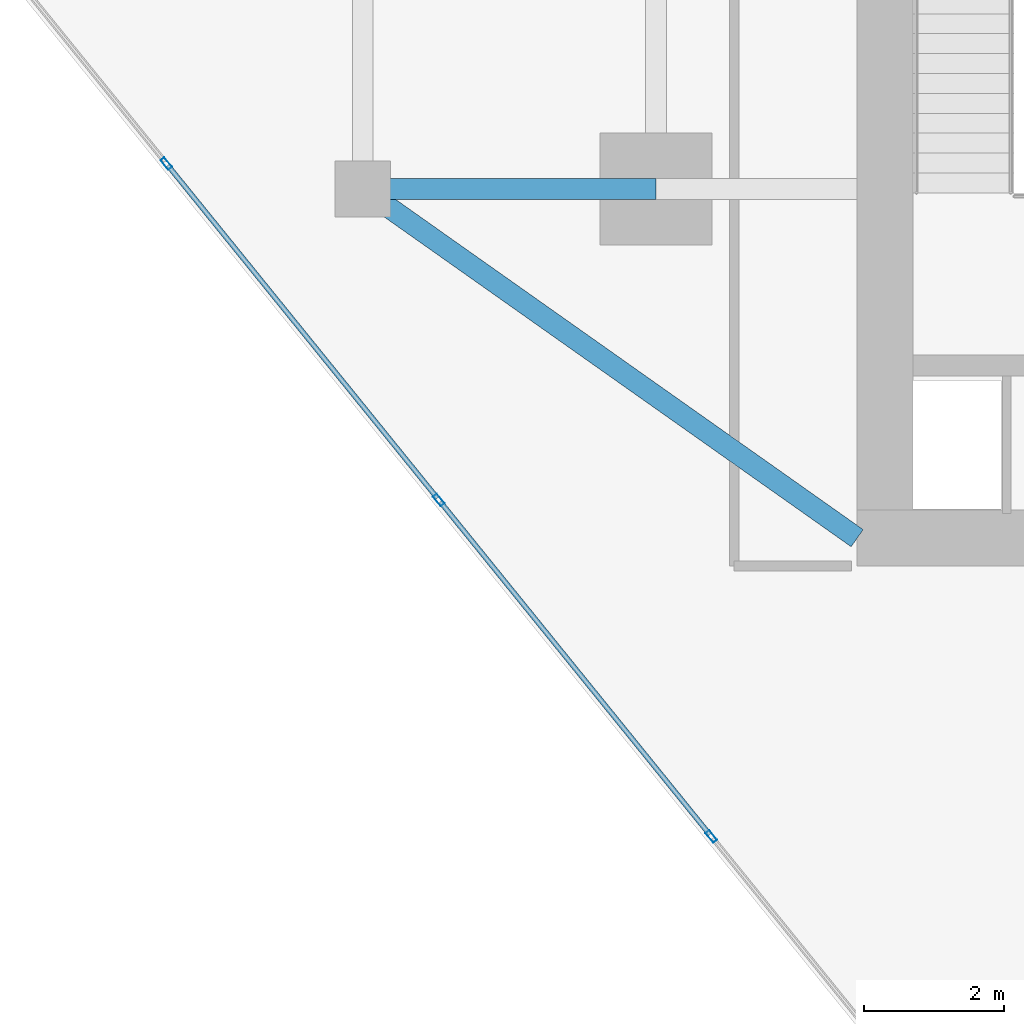
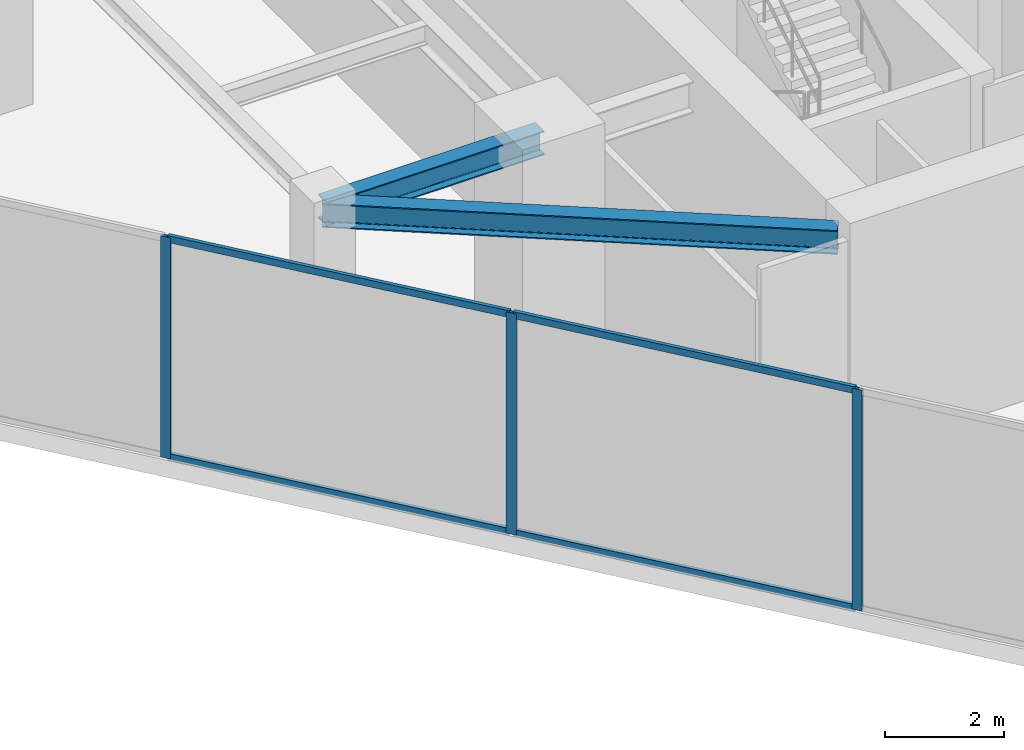
# One storey, part 2 of 22: 7 members, 2 beams, 1 element without a shape of its own.
"""IFC4 building model written with IfcOpenShell, lengths in metres."""

from ifc_helpers import new_model, si_unit, direction, frame, origin, origin_2d, place, context, subcontext, project, spatial, hollow_rectangle, i_section, extrude, source, transform, mapped, material, material_profile, profile_set, type_object, type_shapes, element, aggregate, save


model = new_model("IFC4")

# Units and contexts
model_context = context("Model", 3, precision=1e-05, world=origin(), true_north=direction((0.0, 1.0)))
body_context = subcontext(model_context, "Body", "Model", "MODEL_VIEW")
ifc_project = project(units=[si_unit("LENGTHUNIT", "METRE"), si_unit("AREAUNIT", "SQUARE_METRE"), si_unit("VOLUMEUNIT", "CUBIC_METRE"), si_unit("PLANEANGLEUNIT", "RADIAN"), si_unit("MASSUNIT", "GRAM", prefix="KILO")], contexts=[model_context])

# Site, building, storey
site_placement = place(None, origin())
site = spatial("IfcSite", under=ifc_project, at=site_placement, CompositionType="ELEMENT")
building_placement = place(site_placement, origin())
building = spatial("IfcBuilding", under=site, at=building_placement, Name="Krantzveldt Concourse Tower", CompositionType="ELEMENT")
storey_placement = place(building_placement, frame((0.0, 0.0, 262.60009765625)))
storey = spatial("IfcBuildingStorey", under=building, at=storey_placement, Name="L64", CompositionType="ELEMENT", Elevation=262.60009765625)

# Beams
ifc_material_1 = material(Name="Steel S355JR", Category="steel")
ifc_material_profile_1 = material_profile(ifc_material_1, i_section(OverallWidth=0.300048828125, OverallDepth=0.489990234375, WebThickness=0.011962890625, FlangeThickness=0.02294921875, FilletRadius=0.027099609375, at=origin_2d()), Name="Steel S355JR", Category="steel")
ifc_profile_set_1 = profile_set([ifc_material_profile_1], Name="Steel S355JR - HEA 500")
beam_type = type_object("IfcBeamType", Name="BM-B-HEA500", PredefinedType="BEAM", material=ifc_profile_set_1)
shared_shape_1 = source(origin(), body_context, "Body", "SweptSolid", [
    extrude(i_section(OverallWidth=0.300048828125, OverallDepth=0.489990234375, WebThickness=0.011962890625, FlangeThickness=0.02294921875, FilletRadius=0.027099609375, at=origin_2d()), origin(), (0.0, 0.0, 1.0), 4.199951171875),
])
beam_1_placement = place(storey_placement, frame((21.0, 15.89990234375, 4.27490234375), z_axis=(1.0, 0.0, 0.0), x_axis=(0.0, 1.0, 0.0)))
element("IfcBeam", 1, at=beam_1_placement, inside=storey, type_object=beam_type, Name="L64 Tower Girder BR-RL1", PredefinedType="BEAM", context=body_context, shape_type="MappedRepresentation", body=[
    mapped(shared_shape_1, transform((0.0, 0.0, 0.0), x_axis=(1.0, 0.0, 0.0), y_axis=(0.0, 1.0, 0.0), z_axis=(0.0, 0.0, 1.0), scale=1.0)),
])
shared_shape_2 = source(origin(), body_context, "Body", "SweptSolid", [
    extrude(i_section(OverallWidth=0.300048828125, OverallDepth=0.489990234375, WebThickness=0.011962890625, FlangeThickness=0.02294921875, FilletRadius=0.027099609375, at=origin_2d()), origin(), (0.0, 0.0, 1.0), 8.667724609375),
])
type_shapes(beam_type, [shared_shape_1, shared_shape_2])
beam_2_placement = place(storey_placement, frame((21.0, 15.89990234375, 4.27490234375), z_axis=(0.81684294656, -0.576860122261, 0.0), x_axis=(0.576860122261, 0.81684294656, 0.0)))
element("IfcBeam", 2, at=beam_2_placement, inside=storey, type_object=beam_type, Name="L64 Tower Girder BR-CSW", PredefinedType="BEAM", context=body_context, shape_type="MappedRepresentation", body=[
    mapped(shared_shape_2, transform((0.0, 0.0, 0.0), x_axis=(1.0, 0.0, 0.0), y_axis=(0.0, 1.0, 0.0), z_axis=(0.0, 0.0, 1.0), scale=1.0)),
])

# Curtain wall, members
ifc_material_2 = material(Name="Anodised aluminium 6063-T6", Category="aluminium")
curtain_wall_type = type_object("IfcCurtainWallType", Name="CW5", PredefinedType="USERDEFINED", material=ifc_material_2)
curtain_wall_placement = place(storey_placement, origin())
curtain_wall = element("IfcCurtainWall", 3, at=curtain_wall_placement, inside=storey, type_object=curtain_wall_type, Name="CW-L64-F04", ObjectType="UNITISED CURTAIN WALL", PredefinedType="USERDEFINED")
ifc_material_profile_2 = material_profile(ifc_material_2, hollow_rectangle(XDim=0.070068359375, YDim=0.179931640625, WallThickness=0.0048828125, at=origin_2d()), Name="Anodised aluminium 6063-T6", Category="aluminium")
ifc_profile_set_2 = profile_set([ifc_material_profile_2], Name="Anodised aluminium 6063-T6 - ALU-MULL 180x70x5")
member_type_1 = type_object("IfcMemberType", Name="CW-MUL-180", PredefinedType="MULLION", material=ifc_profile_set_2)
shared_shape_3 = source(origin(), body_context, "Body", "SweptSolid", [
    extrude(hollow_rectangle(XDim=0.070068359375, YDim=0.179931640625, WallThickness=0.0048828125, at=origin_2d()), origin(), (0.0, 0.0, 1.0), 4.52001953125),
])
type_shapes(member_type_1, [shared_shape_3])
member_1_placement = place(storey_placement, frame((18.1875, 16.2646484375, 0.0), z_axis=(0.0, 0.0, 1.0), x_axis=(0.777145933558, 0.629320425502, 0.0)))
member_1 = element("IfcMember", 4, at=member_1_placement, type_object=member_type_1, Name="CW-SKY mullion 3", PredefinedType="MULLION", context=body_context, shape_type="MappedRepresentation", body=[
    mapped(shared_shape_3, transform((0.0, 0.0, 0.0), x_axis=(1.0, 0.0, 0.0), y_axis=(0.0, 1.0, 0.0), z_axis=(0.0, 0.0, 1.0), scale=1.0)),
])
member_2_placement = place(storey_placement, frame((22.08935546875, 11.446533203125, 0.0), z_axis=(0.0, 0.0, 1.0), x_axis=(0.777145933558, 0.629320425502, 0.0)))
member_2 = element("IfcMember", 5, at=member_2_placement, type_object=member_type_1, Name="CW-SKY mullion 4", PredefinedType="MULLION", context=body_context, shape_type="MappedRepresentation", body=[
    mapped(shared_shape_3, transform((0.0, 0.0, 0.0), x_axis=(1.0, 0.0, 0.0), y_axis=(0.0, 1.0, 0.0), z_axis=(0.0, 0.0, 1.0), scale=1.0)),
])
member_3_placement = place(storey_placement, frame((25.9912109375, 6.628173828125, 0.0), z_axis=(0.0, 0.0, 1.0), x_axis=(0.777145933558, 0.629320425502, 0.0)))
member_3 = element("IfcMember", 6, at=member_3_placement, type_object=member_type_1, Name="CW-SKY mullion 5", PredefinedType="MULLION", context=body_context, shape_type="MappedRepresentation", body=[
    mapped(shared_shape_3, transform((0.0, 0.0, 0.0), x_axis=(1.0, 0.0, 0.0), y_axis=(0.0, 1.0, 0.0), z_axis=(0.0, 0.0, 1.0), scale=1.0)),
])
ifc_material_profile_3 = material_profile(ifc_material_2, hollow_rectangle(XDim=0.070068359375, YDim=0.139892578125, WallThickness=0.0048828125, at=origin_2d()), Name="Anodised aluminium 6063-T6", Category="aluminium")
ifc_profile_set_3 = profile_set([ifc_material_profile_3], Name="Anodised aluminium 6063-T6 - ALU-TRAN 140x70x5")
member_type_2 = type_object("IfcMemberType", Name="CW-TRN-150", PredefinedType="USERDEFINED", material=ifc_profile_set_3)
shared_shape_4 = source(origin(), body_context, "Body", "SweptSolid", [
    extrude(hollow_rectangle(XDim=0.070068359375, YDim=0.139892578125, WallThickness=0.0048828125, at=origin_2d()), origin(), (0.0, 0.0, 1.0), 6.130126953125),
])
member_4_placement = place(storey_placement, frame((18.20947265625, 16.237548828125, 0.034912109375), z_axis=(0.629336847282, -0.777132635174, 0.0), x_axis=(0.777132635174, 0.629336847282, 0.0)))
member_4 = element("IfcMember", 7, at=member_4_placement, type_object=member_type_2, Name="CW-SKY transom 3.1", ObjectType="TRANSOM", PredefinedType="USERDEFINED", context=body_context, shape_type="MappedRepresentation", body=[
    mapped(shared_shape_4, transform((0.0, 0.0, 0.0), x_axis=(1.0, 0.0, 0.0), y_axis=(0.0, 1.0, 0.0), z_axis=(0.0, 0.0, 1.0), scale=1.0)),
])
member_5_placement = place(storey_placement, frame((18.20947265625, 16.237548828125, 4.48486328125), z_axis=(0.629336847282, -0.777132635174, 0.0), x_axis=(0.777132635174, 0.629336847282, 0.0)))
member_5 = element("IfcMember", 8, at=member_5_placement, type_object=member_type_2, Name="CW-SKY transom 3.2", ObjectType="TRANSOM", PredefinedType="USERDEFINED", context=body_context, shape_type="MappedRepresentation", body=[
    mapped(shared_shape_4, transform((0.0, 0.0, 0.0), x_axis=(1.0, 0.0, 0.0), y_axis=(0.0, 1.0, 0.0), z_axis=(0.0, 0.0, 1.0), scale=1.0)),
])
shared_shape_5 = source(origin(), body_context, "Body", "SweptSolid", [
    extrude(hollow_rectangle(XDim=0.070068359375, YDim=0.139892578125, WallThickness=0.0048828125, at=origin_2d()), origin(), (0.0, 0.0, 1.0), 6.1298828125),
])
type_shapes(member_type_2, [shared_shape_4, shared_shape_5])
member_6_placement = place(storey_placement, frame((22.111328125, 11.419189453125, 0.034912109375), z_axis=(0.629312793813, -0.777152113517, 0.0), x_axis=(0.777152113517, 0.629312793813, 0.0)))
member_6 = element("IfcMember", 9, at=member_6_placement, type_object=member_type_2, Name="CW-SKY transom 4.1", ObjectType="TRANSOM", PredefinedType="USERDEFINED", context=body_context, shape_type="MappedRepresentation", body=[
    mapped(shared_shape_5, transform((0.0, 0.0, 0.0), x_axis=(1.0, 0.0, 0.0), y_axis=(0.0, 1.0, 0.0), z_axis=(0.0, 0.0, 1.0), scale=1.0)),
])
member_7_placement = place(storey_placement, frame((22.111328125, 11.419189453125, 4.48486328125), z_axis=(0.629312793813, -0.777152113517, 0.0), x_axis=(0.777152113517, 0.629312793813, 0.0)))
member_7 = element("IfcMember", 10, at=member_7_placement, type_object=member_type_2, Name="CW-SKY transom 4.2", ObjectType="TRANSOM", PredefinedType="USERDEFINED", context=body_context, shape_type="MappedRepresentation", body=[
    mapped(shared_shape_5, transform((0.0, 0.0, 0.0), x_axis=(1.0, 0.0, 0.0), y_axis=(0.0, 1.0, 0.0), z_axis=(0.0, 0.0, 1.0), scale=1.0)),
])
aggregate(curtain_wall, [member_1, member_2, member_3, member_4, member_5, member_6, member_7])

save(model, "model.ifc")
